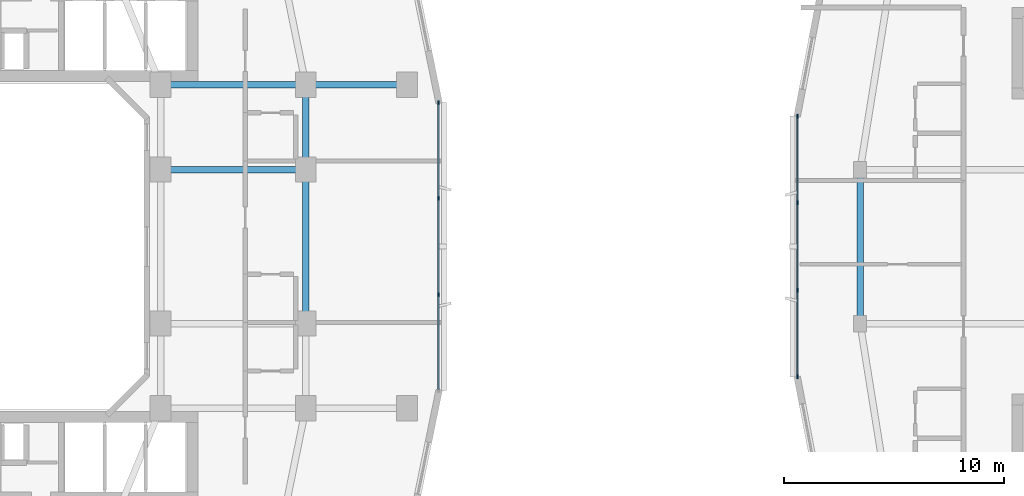
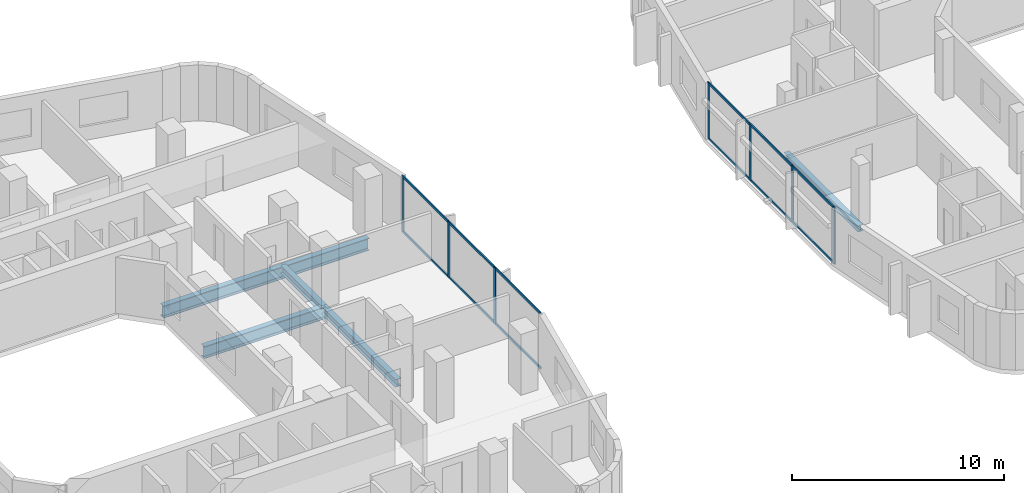
# One storey, part 5 of 27: 19 members, 6 beams, 2 elements without a shape of their own.
"""IFC4 building model written with IfcOpenShell, lengths in metres."""

from ifc_helpers import new_model, si_unit, derived_unit, direction, frame, origin, origin_2d, place, context, subcontext, project, spatial, rectangle, i_section, extrude, material, layer, layer_set, material_profile, profile_set, type_object, element, aggregate, save


model = new_model("IFC4")

# Units and contexts
model_context = context("Model", 3, precision=1e-05, world=origin(), true_north=direction((0.0, 1.0)))
body_context = subcontext(model_context, "Body", "Model", "MODEL_VIEW")
ifc_project = project(units=[si_unit("LENGTHUNIT", "METRE"), si_unit("AREAUNIT", "SQUARE_METRE"), si_unit("VOLUMEUNIT", "CUBIC_METRE"), si_unit("PLANEANGLEUNIT", "RADIAN"), si_unit("MASSUNIT", "GRAM", prefix="KILO"), derived_unit("THERMALTRANSMITTANCEUNIT", [(si_unit("POWERUNIT", "WATT"), 1), (si_unit("LENGTHUNIT", "METRE"), -2), (si_unit("THERMODYNAMICTEMPERATUREUNIT", "KELVIN"), -1)])], contexts=[model_context])

# Site, building, storey
site_placement = place(None, origin())
site = spatial("IfcSite", under=ifc_project, at=site_placement, CompositionType="ELEMENT")
building_placement = place(site_placement, origin())
building = spatial("IfcBuilding", under=site, at=building_placement, Name="Kivonza Crest Hotel", CompositionType="ELEMENT")
storey_placement = place(building_placement, frame((0.0, 0.0, 73.0)))
storey = spatial("IfcBuildingStorey", under=building, at=storey_placement, Name="L19", CompositionType="ELEMENT", Elevation=73.0)

# Beams
ifc_material_1 = material(Name="Steel S355", Category="steel")
ifc_material_profile_1 = material_profile(ifc_material_1, i_section(OverallWidth=0.300048828125, OverallDepth=0.360107421875, WebThickness=0.012451171875, FlangeThickness=0.0224609375, FilletRadius=0.027099609375, at=origin_2d()), Name="HEB 360")
ifc_profile_set_1 = profile_set([ifc_material_profile_1], Name="Steel S355")
beam_type_1 = type_object("IfcBeamType", Name="BM-HEB360", PredefinedType="SPANDREL", material=ifc_profile_set_1)
beam_1_placement = place(storey_placement, frame((61.0, 28.5, -0.429931640625), z_axis=(0.0, -1.0, 0.0), x_axis=(1.0, 0.0, 0.0)))
element("IfcBeam", 1, at=beam_1_placement, inside=storey, type_object=beam_type_1, Name="Companion Tower T2 L19 perimeter spandrel W2-W1", PredefinedType="SPANDREL", context=body_context, shape_type="SweptSolid", body=[
    extrude(i_section(OverallWidth=0.300048828125, OverallDepth=0.360107421875, WebThickness=0.012451171875, FlangeThickness=0.0224609375, FilletRadius=0.027099609375, at=origin_2d()), origin(), (0.0, 0.0, 1.0), 7.0),
])
ifc_material_profile_2 = material_profile(ifc_material_1, i_section(OverallWidth=0.300048828125, OverallDepth=0.449951171875, WebThickness=0.013916015625, FlangeThickness=0.02587890625, FilletRadius=0.027099609375, at=origin_2d()), Name="HEB 450")
ifc_profile_set_2 = profile_set([ifc_material_profile_2], Name="Steel S355")
beam_type_2 = type_object("IfcBeamType", Name="BM-HEB450", PredefinedType="SPANDREL", material=ifc_profile_set_2)
beam_2_placement = place(storey_placement, frame((35.800048828125, 21.5, -0.5048828125), z_axis=(0.0, 1.0, 0.0), x_axis=(-1.0, 0.0, 0.0)))
element("IfcBeam", 2, at=beam_2_placement, inside=storey, type_object=beam_type_2, Name="Tower T1 L19 perimeter spandrel E1-E2", PredefinedType="SPANDREL", context=body_context, shape_type="SweptSolid", body=[
    extrude(i_section(OverallWidth=0.300048828125, OverallDepth=0.449951171875, WebThickness=0.013916015625, FlangeThickness=0.02587890625, FilletRadius=0.027099609375, at=origin_2d()), origin(), (0.0, 0.0, 1.0), 7.0),
])
beam_3_placement = place(storey_placement, frame((35.800048828125, 28.5, -0.5048828125), z_axis=(0.0, 1.0, 0.0), x_axis=(-1.0, 0.0, 0.0)))
element("IfcBeam", 3, at=beam_3_placement, inside=storey, type_object=beam_type_2, Name="Tower T1 L19 perimeter spandrel E2-PNE", PredefinedType="SPANDREL", context=body_context, shape_type="SweptSolid", body=[
    extrude(i_section(OverallWidth=0.300048828125, OverallDepth=0.449951171875, WebThickness=0.013916015625, FlangeThickness=0.02587890625, FilletRadius=0.027099609375, at=origin_2d()), origin(), (0.0, 0.0, 1.0), 3.85009765625),
])
ifc_material_profile_3 = material_profile(ifc_material_1, i_section(OverallWidth=0.300048828125, OverallDepth=0.699951171875, WebThickness=0.01708984375, FlangeThickness=0.031982421875, FilletRadius=0.027099609375, at=origin_2d()), Name="HEB 700")
ifc_profile_set_3 = profile_set([ifc_material_profile_3], Name="Steel S355")
beam_type_3 = type_object("IfcBeamType", Name="BM-HEB700", PredefinedType="BEAM", material=ifc_profile_set_3)
for number, where, z_axis, x_axis, name in (
    (4, (29.199951171875, 32.35009765625, -0.6298828125), (1.0, 0.0, 0.0), (0.0, 1.0, 0.0), "Tower T1 L19 primary girder TNE-PNE"),
    (5, (29.199951171875, 28.5, -0.6298828125), (1.0, 0.0, 0.0), (0.0, 1.0, 0.0), "Tower T1 L19 primary girder WR2-E2"),
):
    element("IfcBeam", number, at=place(storey_placement, frame(where, z_axis=z_axis, x_axis=x_axis)), inside=storey, type_object=beam_type_3, Name=name, PredefinedType="BEAM", context=body_context, shape_type="SweptSolid", body=[
        extrude(i_section(OverallWidth=0.300048828125, OverallDepth=0.699951171875, WebThickness=0.01708984375, FlangeThickness=0.031982421875, FilletRadius=0.027099609375, at=origin_2d()), origin(), (0.0, 0.0, 1.0), 6.60009765625),
    ])
beam_4_placement = place(storey_placement, frame((40.39990234375, 32.35009765625, -0.6298828125), z_axis=(-1.0, 0.0, 0.0), x_axis=(0.0, -1.0, 0.0)))
element("IfcBeam", 6, at=beam_4_placement, inside=storey, type_object=beam_type_3, Name="Tower T1 L19 outer bay girder ZE2", PredefinedType="BEAM", context=body_context, shape_type="SweptSolid", body=[
    extrude(i_section(OverallWidth=0.300048828125, OverallDepth=0.699951171875, WebThickness=0.01708984375, FlangeThickness=0.031982421875, FilletRadius=0.027099609375, at=origin_2d()), origin(), (0.0, 0.0, 1.0), 4.599853515625),
])

# Curtain wall, members
ifc_material_2 = material(Name="Anodised bronze aluminium and low-E double glazing", Category="aluminium")
ifc_layer_1 = layer(ifc_material_2, 0.179931640625)
ifc_layer_set_1 = layer_set([ifc_layer_1], Name="Anodised bronze aluminium and low-E double glazing")
curtain_wall_type_1 = type_object("IfcCurtainWallType", Name="CW-SYS-2", PredefinedType="NOTDEFINED", material=ifc_layer_set_1)
curtain_wall_1_placement = place(storey_placement, origin())
curtain_wall_1 = element("IfcCurtainWall", 7, at=curtain_wall_1_placement, inside=storey, type_object=curtain_wall_type_1, Name="L19 unitised curtain wall CW-T1-L19-17", PredefinedType="NOTDEFINED")
ifc_material_3 = material(Name="Anodised bronze aluminium", Category="aluminium")
ifc_material_profile_4 = material_profile(ifc_material_3, rectangle(XDim=0.06494140625, YDim=0.179931640625, at=origin_2d()), Name="CW-M 65x180")
ifc_profile_set_4 = profile_set([ifc_material_profile_4], Name="Anodised bronze aluminium")
member_type_1 = type_object("IfcMemberType", Name="CW-MUL-65x180", PredefinedType="MULLION", material=ifc_profile_set_4)
member_1_placement = place(storey_placement, frame((41.840087890625, 22.813232421875, 0.0), z_axis=(0.0, 0.0, 1.0), x_axis=(-1.0, 0.0, 0.0)))
member_1 = element("IfcMember", 8, at=member_1_placement, type_object=member_type_1, Name="CW-2 mullion 2", PredefinedType="MULLION", context=body_context, shape_type="SweptSolid", body=[
    extrude(rectangle(XDim=0.06494140625, YDim=0.179931640625, at=origin_2d()), origin(), (0.0, 0.0, 1.0), 3.219970703125),
])
member_2_placement = place(storey_placement, frame((41.840087890625, 27.186767578125, 0.0), z_axis=(0.0, 0.0, 1.0), x_axis=(-1.0, 0.0, 0.0)))
member_2 = element("IfcMember", 9, at=member_2_placement, type_object=member_type_1, Name="CW-2 mullion 3", PredefinedType="MULLION", context=body_context, shape_type="SweptSolid", body=[
    extrude(rectangle(XDim=0.06494140625, YDim=0.179931640625, at=origin_2d()), origin(), (0.0, 0.0, 1.0), 3.219970703125),
])
member_3_placement = place(storey_placement, frame((41.840087890625, 31.527587890625, 0.0), z_axis=(0.0, 0.0, 1.0), x_axis=(-1.0, 0.0, 0.0)))
member_3 = element("IfcMember", 10, at=member_3_placement, type_object=member_type_1, Name="CW-2 mullion 4", PredefinedType="MULLION", context=body_context, shape_type="SweptSolid", body=[
    extrude(rectangle(XDim=0.06494140625, YDim=0.179931640625, at=origin_2d()), origin(), (0.0, 0.0, 1.0), 3.219970703125),
])

ifc_layer_2 = layer(ifc_material_2, 0.179931640625)
ifc_layer_set_2 = layer_set([ifc_layer_2], Name="Anodised bronze aluminium and low-E double glazing")
curtain_wall_type_2 = type_object("IfcCurtainWallType", Name="CW-SYS-4", PredefinedType="NOTDEFINED", material=ifc_layer_set_2)
curtain_wall_2_placement = place(storey_placement, origin())
curtain_wall_2 = element("IfcCurtainWall", 11, at=curtain_wall_2_placement, inside=storey, type_object=curtain_wall_type_2, Name="L19 unitised curtain wall CW-T2-L19-35", PredefinedType="NOTDEFINED")
member_4_placement = place(storey_placement, frame((58.159912109375, 30.927490234375, 0.0), z_axis=(0.0, 0.0, 1.0), x_axis=(1.0, 0.0, 0.0)))
member_4 = element("IfcMember", 12, at=member_4_placement, type_object=member_type_1, Name="CW-4 mullion 1", PredefinedType="MULLION", context=body_context, shape_type="SweptSolid", body=[
    extrude(rectangle(XDim=0.06494140625, YDim=0.179931640625, at=origin_2d()), origin(), (0.0, 0.0, 1.0), 3.25),
])
member_5_placement = place(storey_placement, frame((58.159912109375, 26.986572265625, 0.0), z_axis=(0.0, 0.0, 1.0), x_axis=(1.0, 0.0, 0.0)))
member_5 = element("IfcMember", 13, at=member_5_placement, type_object=member_type_1, Name="CW-4 mullion 2", PredefinedType="MULLION", context=body_context, shape_type="SweptSolid", body=[
    extrude(rectangle(XDim=0.06494140625, YDim=0.179931640625, at=origin_2d()), origin(), (0.0, 0.0, 1.0), 3.25),
])
member_6_placement = place(storey_placement, frame((58.159912109375, 23.013427734375, 0.0), z_axis=(0.0, 0.0, 1.0), x_axis=(1.0, 0.0, 0.0)))
member_6 = element("IfcMember", 14, at=member_6_placement, type_object=member_type_1, Name="CW-4 mullion 3", PredefinedType="MULLION", context=body_context, shape_type="SweptSolid", body=[
    extrude(rectangle(XDim=0.06494140625, YDim=0.179931640625, at=origin_2d()), origin(), (0.0, 0.0, 1.0), 3.25),
])
member_7_placement = place(storey_placement, frame((58.159912109375, 19.072509765625, 0.0), z_axis=(0.0, 0.0, 1.0), x_axis=(1.0, 0.0, 0.0)))
member_7 = element("IfcMember", 15, at=member_7_placement, type_object=member_type_1, Name="CW-4 mullion 4", PredefinedType="MULLION", context=body_context, shape_type="SweptSolid", body=[
    extrude(rectangle(XDim=0.06494140625, YDim=0.179931640625, at=origin_2d()), origin(), (0.0, 0.0, 1.0), 3.25),
])

# Member
ifc_material_profile_5 = material_profile(ifc_material_3, rectangle(XDim=0.06494140625, YDim=0.139892578125, at=origin_2d()), Name="CW-T 65x140")
ifc_profile_set_5 = profile_set([ifc_material_profile_5], Name="Anodised bronze aluminium")
member_type_2 = type_object("IfcMemberType", Name="CW-TRN-65x140", PredefinedType="USERDEFINED", material=ifc_profile_set_5)
member_8_placement = place(storey_placement, frame((41.840087890625, 18.5048828125, 0.032470703125), z_axis=(0.0, 1.0, 0.0), x_axis=(-1.0, 0.0, 0.0)))
member_8 = element("IfcMember", 16, at=member_8_placement, type_object=member_type_2, Name="CW-2 transom 1.1", ObjectType="TRANSOM", PredefinedType="USERDEFINED", context=body_context, shape_type="SweptSolid", body=[
    extrude(rectangle(XDim=0.06494140625, YDim=0.139892578125, at=origin_2d()), origin(), (0.0, 0.0, 1.0), 4.27587890625),
])

member_9_placement = place(storey_placement, frame((41.840087890625, 18.5048828125, 3.1875), z_axis=(0.0, 1.0, 0.0), x_axis=(-1.0, 0.0, 0.0)))
member_9 = element("IfcMember", 17, at=member_9_placement, type_object=member_type_2, Name="CW-2 transom 1.2", ObjectType="TRANSOM", PredefinedType="USERDEFINED", context=body_context, shape_type="SweptSolid", body=[
    extrude(rectangle(XDim=0.06494140625, YDim=0.139892578125, at=origin_2d()), origin(), (0.0, 0.0, 1.0), 4.27587890625),
])

member_10_placement = place(storey_placement, frame((41.840087890625, 22.845947265625, 0.032470703125), z_axis=(0.0, 1.0, 0.0), x_axis=(-1.0, 0.0, 0.0)))
member_10 = element("IfcMember", 18, at=member_10_placement, type_object=member_type_2, Name="CW-2 transom 2.1", ObjectType="TRANSOM", PredefinedType="USERDEFINED", context=body_context, shape_type="SweptSolid", body=[
    extrude(rectangle(XDim=0.06494140625, YDim=0.139892578125, at=origin_2d()), origin(), (0.0, 0.0, 1.0), 4.30810546875),
])

member_11_placement = place(storey_placement, frame((41.840087890625, 22.845947265625, 3.1875), z_axis=(0.0, 1.0, 0.0), x_axis=(-1.0, 0.0, 0.0)))
member_11 = element("IfcMember", 19, at=member_11_placement, type_object=member_type_2, Name="CW-2 transom 2.2", ObjectType="TRANSOM", PredefinedType="USERDEFINED", context=body_context, shape_type="SweptSolid", body=[
    extrude(rectangle(XDim=0.06494140625, YDim=0.139892578125, at=origin_2d()), origin(), (0.0, 0.0, 1.0), 4.30810546875),
])

member_12_placement = place(storey_placement, frame((41.840087890625, 27.21923828125, 0.032470703125), z_axis=(0.0, 1.0, 0.0), x_axis=(-1.0, 0.0, 0.0)))
member_12 = element("IfcMember", 20, at=member_12_placement, type_object=member_type_2, Name="CW-2 transom 3.1", ObjectType="TRANSOM", PredefinedType="USERDEFINED", context=body_context, shape_type="SweptSolid", body=[
    extrude(rectangle(XDim=0.06494140625, YDim=0.139892578125, at=origin_2d()), origin(), (0.0, 0.0, 1.0), 4.27587890625),
])

member_13_placement = place(storey_placement, frame((41.840087890625, 27.21923828125, 3.1875), z_axis=(0.0, 1.0, 0.0), x_axis=(-1.0, 0.0, 0.0)))
member_13 = element("IfcMember", 21, at=member_13_placement, type_object=member_type_2, Name="CW-2 transom 3.2", ObjectType="TRANSOM", PredefinedType="USERDEFINED", context=body_context, shape_type="SweptSolid", body=[
    extrude(rectangle(XDim=0.06494140625, YDim=0.139892578125, at=origin_2d()), origin(), (0.0, 0.0, 1.0), 4.27587890625),
])

aggregate(curtain_wall_1, [member_1, member_2, member_3, member_8, member_9, member_10, member_11, member_12, member_13])

member_14_placement = place(storey_placement, frame((58.159912109375, 30.89501953125, 0.032470703125), z_axis=(0.0, -1.0, 0.0), x_axis=(1.0, 0.0, 0.0)))
member_14 = element("IfcMember", 22, at=member_14_placement, type_object=member_type_2, Name="CW-4 transom 1.1", ObjectType="TRANSOM", PredefinedType="USERDEFINED", context=body_context, shape_type="SweptSolid", body=[
    extrude(rectangle(XDim=0.06494140625, YDim=0.139892578125, at=origin_2d()), origin(), (0.0, 0.0, 1.0), 3.875732421875),
])

member_15_placement = place(storey_placement, frame((58.159912109375, 30.89501953125, 3.217529296875), z_axis=(0.0, -1.0, 0.0), x_axis=(1.0, 0.0, 0.0)))
member_15 = element("IfcMember", 23, at=member_15_placement, type_object=member_type_2, Name="CW-4 transom 1.2", ObjectType="TRANSOM", PredefinedType="USERDEFINED", context=body_context, shape_type="SweptSolid", body=[
    extrude(rectangle(XDim=0.06494140625, YDim=0.139892578125, at=origin_2d()), origin(), (0.0, 0.0, 1.0), 3.875732421875),
])

member_16_placement = place(storey_placement, frame((58.159912109375, 26.9541015625, 0.032470703125), z_axis=(0.0, -1.0, 0.0), x_axis=(1.0, 0.0, 0.0)))
member_16 = element("IfcMember", 24, at=member_16_placement, type_object=member_type_2, Name="CW-4 transom 2.1", ObjectType="TRANSOM", PredefinedType="USERDEFINED", context=body_context, shape_type="SweptSolid", body=[
    extrude(rectangle(XDim=0.06494140625, YDim=0.139892578125, at=origin_2d()), origin(), (0.0, 0.0, 1.0), 3.908203125),
])

member_17_placement = place(storey_placement, frame((58.159912109375, 26.9541015625, 3.217529296875), z_axis=(0.0, -1.0, 0.0), x_axis=(1.0, 0.0, 0.0)))
member_17 = element("IfcMember", 25, at=member_17_placement, type_object=member_type_2, Name="CW-4 transom 2.2", ObjectType="TRANSOM", PredefinedType="USERDEFINED", context=body_context, shape_type="SweptSolid", body=[
    extrude(rectangle(XDim=0.06494140625, YDim=0.139892578125, at=origin_2d()), origin(), (0.0, 0.0, 1.0), 3.908203125),
])

member_18_placement = place(storey_placement, frame((58.159912109375, 22.980712890625, 0.032470703125), z_axis=(0.0, -1.0, 0.0), x_axis=(1.0, 0.0, 0.0)))
member_18 = element("IfcMember", 26, at=member_18_placement, type_object=member_type_2, Name="CW-4 transom 3.1", ObjectType="TRANSOM", PredefinedType="USERDEFINED", context=body_context, shape_type="SweptSolid", body=[
    extrude(rectangle(XDim=0.06494140625, YDim=0.139892578125, at=origin_2d()), origin(), (0.0, 0.0, 1.0), 3.875732421875),
])

member_19_placement = place(storey_placement, frame((58.159912109375, 22.980712890625, 3.217529296875), z_axis=(0.0, -1.0, 0.0), x_axis=(1.0, 0.0, 0.0)))
member_19 = element("IfcMember", 27, at=member_19_placement, type_object=member_type_2, Name="CW-4 transom 3.2", ObjectType="TRANSOM", PredefinedType="USERDEFINED", context=body_context, shape_type="SweptSolid", body=[
    extrude(rectangle(XDim=0.06494140625, YDim=0.139892578125, at=origin_2d()), origin(), (0.0, 0.0, 1.0), 3.875732421875),
])

aggregate(curtain_wall_2, [member_4, member_5, member_6, member_7, member_14, member_15, member_16, member_17, member_18, member_19])

save(model, "model.ifc")
